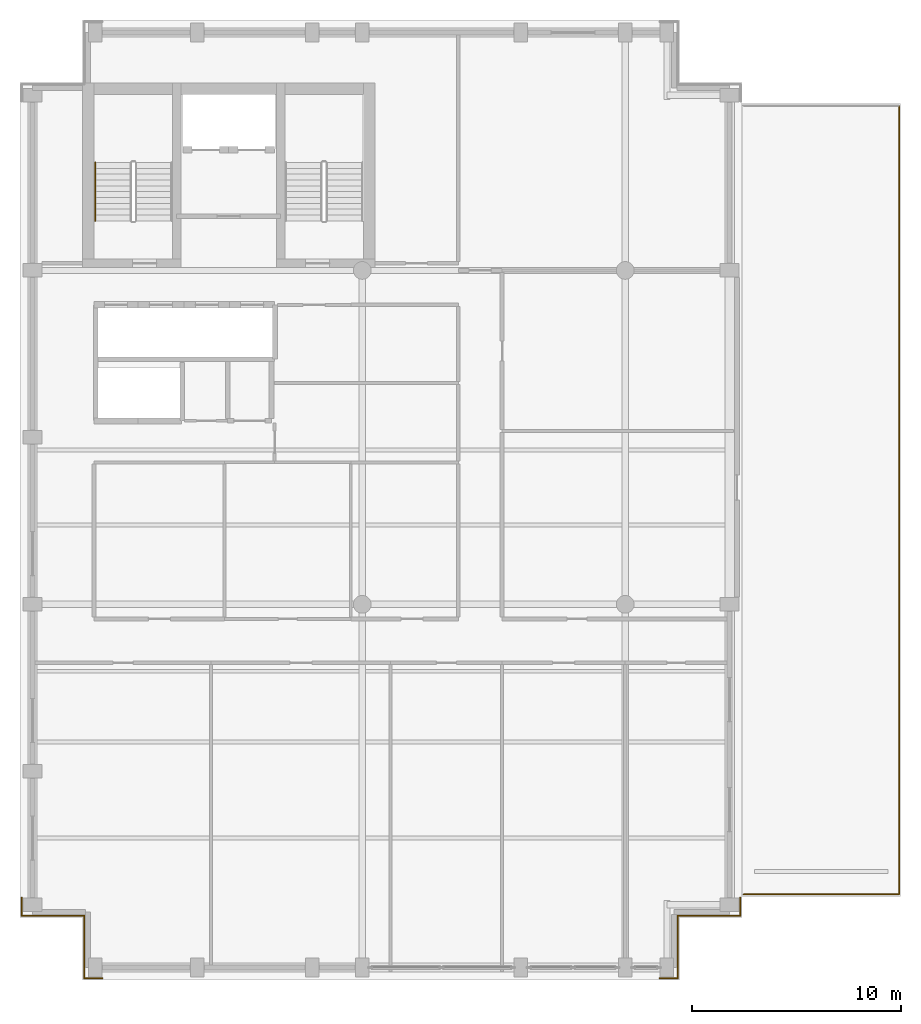
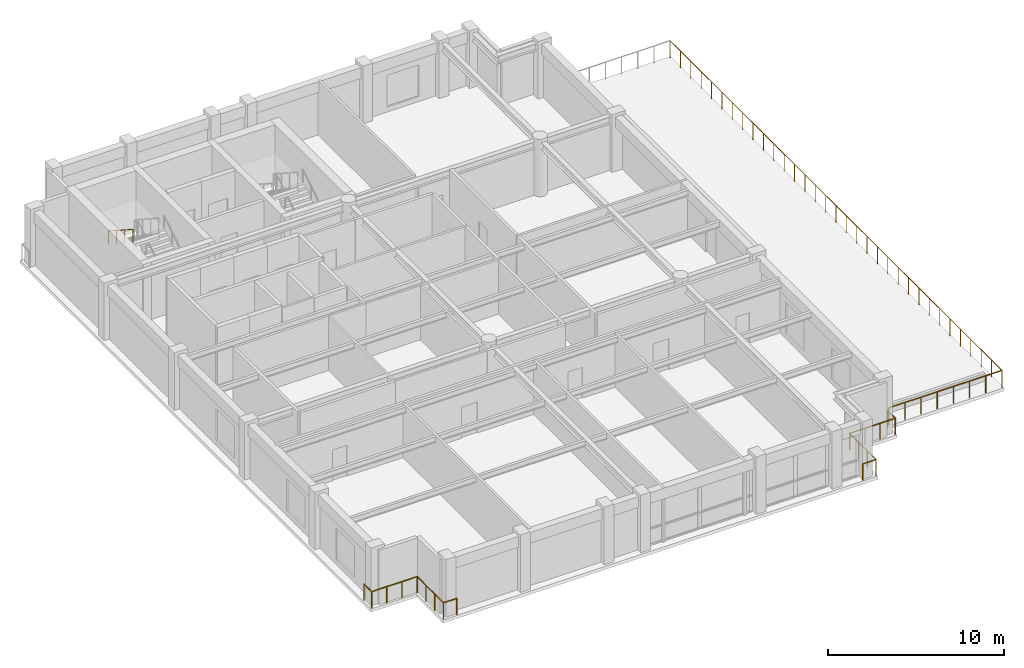
# One storey, part 7 of 9: 11 railings.
"""IFC4 building model written with IfcOpenShell, lengths in metres."""

from ifc_helpers import new_model, si_unit, direction, frame, origin, origin_2d, place, context, subcontext, project, spatial, circle, extrude, material, type_object, element, save


model = new_model("IFC4")

# Units and contexts
model_context = context("Model", 3, precision=1e-05, world=origin(), true_north=direction((0.0, 1.0)))
body_context = subcontext(model_context, "Body", "Model", "MODEL_VIEW")
ifc_project = project(units=[si_unit("LENGTHUNIT", "METRE"), si_unit("AREAUNIT", "SQUARE_METRE"), si_unit("VOLUMEUNIT", "CUBIC_METRE"), si_unit("PLANEANGLEUNIT", "RADIAN"), si_unit("MASSUNIT", "GRAM", prefix="KILO")], contexts=[model_context])

# Site, building, storey
site_placement = place(None, origin())
site = spatial("IfcSite", under=ifc_project, at=site_placement, CompositionType="ELEMENT")
building_placement = place(site_placement, origin())
building = spatial("IfcBuilding", under=site, at=building_placement, Name="Sulina Concourse Tower", CompositionType="ELEMENT")
storey_placement = place(building_placement, frame((0.0, 0.0, 305.0)))
storey = spatial("IfcBuildingStorey", under=building, at=storey_placement, Name="L74", CompositionType="ELEMENT", Elevation=305.0)

# Railings
ifc_material_1 = material(Name="Galvanised steel railing", Category="steel")
railing_type_1 = type_object("IfcRailingType", Name="Core Stair Steel Guardrail 1150mm", PredefinedType="GUARDRAIL", material=ifc_material_1)
railing_1_placement = place(storey_placement, frame((34.52001953125, 3.949951171875, 0.0)))
element("IfcRailing", 1, at=railing_1_placement, inside=storey, type_object=railing_type_1, Name="L74 perimeter edge safety guardrail SE1", PredefinedType="GUARDRAIL", context=body_context, shape_type="SweptSolid", body=[
    extrude(circle(Radius=0.02392578125, at=origin_2d()), frame((0.0, 0.0, 1.1259765625), z_axis=(0.0, -1.0, 0.0), x_axis=(1.0, 0.0, 0.0)), (0.0, 0.0, 1.0), 0.869873046875),
    extrude(circle(Radius=0.02099609375, at=origin_2d()), origin(), (0.0, 0.0, 1.0), 1.101806640625),
    extrude(circle(Radius=0.02099609375, at=origin_2d()), frame((0.0, -0.869873046875, 0.0)), (0.0, 0.0, 1.0), 1.101806640625),
])
railing_2_placement = place(storey_placement, frame((34.52001953125, 3.080078125, 0.0)))
element("IfcRailing", 2, at=railing_2_placement, inside=storey, type_object=railing_type_1, Name="L74 perimeter edge safety guardrail SE2", PredefinedType="GUARDRAIL", context=body_context, shape_type="SweptSolid", body=[
    extrude(circle(Radius=0.02392578125, at=origin_2d()), frame((0.0, 0.0, 1.1259765625), z_axis=(-1.0, 0.0, 0.0), x_axis=(0.0, -1.0, 0.0)), (0.0, 0.0, 1.0), 3.0),
    extrude(circle(Radius=0.02099609375, at=origin_2d()), origin(), (0.0, 0.0, 1.0), 1.101806640625),
    extrude(circle(Radius=0.02099609375, at=origin_2d()), frame((-1.0, 0.0, 0.0)), (0.0, 0.0, 1.0), 1.101806640625),
    extrude(circle(Radius=0.02099609375, at=origin_2d()), frame((-2.0, 0.0, 0.0)), (0.0, 0.0, 1.0), 1.101806640625),
    extrude(circle(Radius=0.02099609375, at=origin_2d()), frame((-3.0, 0.0, 0.0)), (0.0, 0.0, 1.0), 1.101806640625),
])
railing_3_placement = place(storey_placement, frame((31.52001953125, 3.080078125, 0.0)))
element("IfcRailing", 3, at=railing_3_placement, inside=storey, type_object=railing_type_1, Name="L74 perimeter edge safety guardrail SE3", PredefinedType="GUARDRAIL", context=body_context, shape_type="SweptSolid", body=[
    extrude(circle(Radius=0.02392578125, at=origin_2d()), frame((0.0, 0.0, 1.1259765625), z_axis=(0.0, -1.0, 0.0), x_axis=(1.0, 0.0, 0.0)), (0.0, 0.0, 1.0), 3.0),
    extrude(circle(Radius=0.02099609375, at=origin_2d()), origin(), (0.0, 0.0, 1.0), 1.101806640625),
    extrude(circle(Radius=0.02099609375, at=origin_2d()), frame((0.0, -1.0, 0.0)), (0.0, 0.0, 1.0), 1.101806640625),
    extrude(circle(Radius=0.02099609375, at=origin_2d()), frame((0.0, -2.0, 0.0)), (0.0, 0.0, 1.0), 1.101806640625),
    extrude(circle(Radius=0.02099609375, at=origin_2d()), frame((0.0, -3.0, 0.0)), (0.0, 0.0, 1.0), 1.101806640625),
])
railing_4_placement = place(storey_placement, frame((31.52001953125, 0.080078125, 0.0)))
element("IfcRailing", 4, at=railing_4_placement, inside=storey, type_object=railing_type_1, Name="L74 perimeter edge safety guardrail SE4", PredefinedType="GUARDRAIL", context=body_context, shape_type="SweptSolid", body=[
    extrude(circle(Radius=0.02392578125, at=origin_2d()), frame((0.0, 0.0, 1.1259765625), z_axis=(-1.0, 0.0, 0.0), x_axis=(0.0, -1.0, 0.0)), (0.0, 0.0, 1.0), 0.8701171875),
    extrude(circle(Radius=0.02099609375, at=origin_2d()), origin(), (0.0, 0.0, 1.0), 1.101806640625),
    extrude(circle(Radius=0.02099609375, at=origin_2d()), frame((-0.8701171875, 0.0, 0.0)), (0.0, 0.0, 1.0), 1.101806640625),
])
railing_5_placement = place(storey_placement, frame((3.949951171875, 0.080078125, 0.0)))
element("IfcRailing", 5, at=railing_5_placement, inside=storey, type_object=railing_type_1, Name="L74 perimeter edge safety guardrail SW1", PredefinedType="GUARDRAIL", context=body_context, shape_type="SweptSolid", body=[
    extrude(circle(Radius=0.02392578125, at=origin_2d()), frame((0.0, 0.0, 1.1259765625), z_axis=(-1.0, 0.0, 0.0), x_axis=(0.0, -1.0, 0.0)), (0.0, 0.0, 1.0), 0.869873046875),
    extrude(circle(Radius=0.02099609375, at=origin_2d()), origin(), (0.0, 0.0, 1.0), 1.101806640625),
    extrude(circle(Radius=0.02099609375, at=origin_2d()), frame((-0.869873046875, 0.0, 0.0)), (0.0, 0.0, 1.0), 1.101806640625),
])
railing_6_placement = place(storey_placement, frame((3.080078125, 0.080078125, 0.0)))
element("IfcRailing", 6, at=railing_6_placement, inside=storey, type_object=railing_type_1, Name="L74 perimeter edge safety guardrail SW2", PredefinedType="GUARDRAIL", context=body_context, shape_type="SweptSolid", body=[
    extrude(circle(Radius=0.02392578125, at=origin_2d()), frame((0.0, 0.0, 1.1259765625), z_axis=(0.0, 1.0, 0.0), x_axis=(-1.0, 0.0, 0.0)), (0.0, 0.0, 1.0), 3.0),
    extrude(circle(Radius=0.02099609375, at=origin_2d()), origin(), (0.0, 0.0, 1.0), 1.101806640625),
    extrude(circle(Radius=0.02099609375, at=origin_2d()), frame((0.0, 1.0, 0.0)), (0.0, 0.0, 1.0), 1.101806640625),
    extrude(circle(Radius=0.02099609375, at=origin_2d()), frame((0.0, 2.0, 0.0)), (0.0, 0.0, 1.0), 1.101806640625),
    extrude(circle(Radius=0.02099609375, at=origin_2d()), frame((0.0, 3.0, 0.0)), (0.0, 0.0, 1.0), 1.101806640625),
])
railing_7_placement = place(storey_placement, frame((3.080078125, 3.080078125, 0.0)))
element("IfcRailing", 7, at=railing_7_placement, inside=storey, type_object=railing_type_1, Name="L74 perimeter edge safety guardrail SW3", PredefinedType="GUARDRAIL", context=body_context, shape_type="SweptSolid", body=[
    extrude(circle(Radius=0.02392578125, at=origin_2d()), frame((0.0, 0.0, 1.1259765625), z_axis=(-1.0, 0.0, 0.0), x_axis=(0.0, -1.0, 0.0)), (0.0, 0.0, 1.0), 3.0),
    extrude(circle(Radius=0.02099609375, at=origin_2d()), origin(), (0.0, 0.0, 1.0), 1.101806640625),
    extrude(circle(Radius=0.02099609375, at=origin_2d()), frame((-1.0, 0.0, 0.0)), (0.0, 0.0, 1.0), 1.101806640625),
    extrude(circle(Radius=0.02099609375, at=origin_2d()), frame((-2.0, 0.0, 0.0)), (0.0, 0.0, 1.0), 1.101806640625),
    extrude(circle(Radius=0.02099609375, at=origin_2d()), frame((-3.0, 0.0, 0.0)), (0.0, 0.0, 1.0), 1.101806640625),
])
railing_8_placement = place(storey_placement, frame((0.080078125, 3.080078125, 0.0)))
element("IfcRailing", 8, at=railing_8_placement, inside=storey, type_object=railing_type_1, Name="L74 perimeter edge safety guardrail SW4", PredefinedType="GUARDRAIL", context=body_context, shape_type="SweptSolid", body=[
    extrude(circle(Radius=0.02392578125, at=origin_2d()), frame((0.0, 0.0, 1.1259765625), z_axis=(0.0, 1.0, 0.0), x_axis=(-1.0, 0.0, 0.0)), (0.0, 0.0, 1.0), 0.869873046875),
    extrude(circle(Radius=0.02099609375, at=origin_2d()), origin(), (0.0, 0.0, 1.0), 1.101806640625),
    extrude(circle(Radius=0.02099609375, at=origin_2d()), frame((0.0, 0.869873046875, 0.0)), (0.0, 0.0, 1.0), 1.101806640625),
])
ifc_material_2 = material(Name="Galvanised steel railing", Category="steel")
railing_type_2 = type_object("IfcRailingType", Name="Stair Wall Steel Handrail 920mm", PredefinedType="HANDRAIL", material=ifc_material_2)
railing_9_placement = place(storey_placement, frame((3.60498046875, 39.175048828125, 2.181884765625)))
element("IfcRailing", 9, at=railing_9_placement, inside=storey, type_object=railing_type_2, Name="L74 ST-1 stair handrail 2", PredefinedType="HANDRAIL", context=body_context, shape_type="SweptSolid", body=[
    extrude(circle(Radius=0.02392578125, at=origin_2d()), frame((0.0, 0.0, 0.89599609375), z_axis=(0.0, -0.838705829183, 0.544584733623), x_axis=(1.0, 0.0, 0.0)), (0.0, 0.0, 1.0), 3.338623046875),
    extrude(circle(Radius=0.02099609375, at=origin_2d()), origin(), (0.0, 0.0, 1.0), 0.871826171875),
    extrude(circle(Radius=0.02099609375, at=origin_2d()), frame((0.0, -0.933349609375, 0.60595703125)), (0.0, 0.0, 1.0), 0.871826171875),
    extrude(circle(Radius=0.02099609375, at=origin_2d()), frame((0.0, -1.86669921875, 1.212158203125)), (0.0, 0.0, 1.0), 0.871826171875),
    extrude(circle(Radius=0.02099609375, at=origin_2d()), frame((0.0, -2.800048828125, 1.818115234375)), (0.0, 0.0, 1.0), 0.871826171875),
])
ifc_material_3 = material(Name="Laminated glass balustrade and steel post", Category="steel")
railing_type_3 = type_object("IfcRailingType", Name="Terrace & Sky-Pool Laminated Guardrail 1200mm", PredefinedType="GUARDRAIL", material=ifc_material_3)
railing_10_placement = place(storey_placement, frame((34.679931640625, 4.10009765625, 0.0)))
element("IfcRailing", 10, at=railing_10_placement, inside=storey, type_object=railing_type_3, Name="L74 terrace guardrail TER-CR3-1", PredefinedType="GUARDRAIL", context=body_context, shape_type="SweptSolid", body=[
    extrude(circle(Radius=0.02490234375, at=origin_2d()), frame((0.0, 0.0, 1.1748046875), z_axis=(1.0, 0.0, 0.0), x_axis=(0.0, 1.0, 0.0)), (0.0, 0.0, 1.0), 7.440185546875),
    extrude(circle(Radius=0.02099609375, at=origin_2d()), origin(), (0.0, 0.0, 1.0), 1.14990234375),
    extrude(circle(Radius=0.02099609375, at=origin_2d()), frame((1.06298828125, 0.0, 0.0)), (0.0, 0.0, 1.0), 1.14990234375),
    extrude(circle(Radius=0.02099609375, at=origin_2d()), frame((2.125732421875, 0.0, 0.0)), (0.0, 0.0, 1.0), 1.14990234375),
    extrude(circle(Radius=0.02099609375, at=origin_2d()), frame((3.188720703125, 0.0, 0.0)), (0.0, 0.0, 1.0), 1.14990234375),
    extrude(circle(Radius=0.02099609375, at=origin_2d()), frame((4.25146484375, 0.0, 0.0)), (0.0, 0.0, 1.0), 1.14990234375),
    extrude(circle(Radius=0.02099609375, at=origin_2d()), frame((5.314453125, 0.0, 0.0)), (0.0, 0.0, 1.0), 1.14990234375),
    extrude(circle(Radius=0.02099609375, at=origin_2d()), frame((6.377197265625, 0.0, 0.0)), (0.0, 0.0, 1.0), 1.14990234375),
    extrude(circle(Radius=0.02099609375, at=origin_2d()), frame((7.440185546875, 0.0, 0.0)), (0.0, 0.0, 1.0), 1.14990234375),
])
railing_11_placement = place(storey_placement, frame((42.1201171875, 4.10009765625, 0.0)))
element("IfcRailing", 11, at=railing_11_placement, inside=storey, type_object=railing_type_3, Name="L74 terrace guardrail TER-CR3-2", PredefinedType="GUARDRAIL", context=body_context, shape_type="SweptSolid", body=[
    extrude(circle(Radius=0.02490234375, at=origin_2d()), frame((0.0, 0.0, 1.1748046875), z_axis=(0.0, 1.0, 0.0), x_axis=(-1.0, 0.0, 0.0)), (0.0, 0.0, 1.0), 37.7998046875),
    extrude(circle(Radius=0.02099609375, at=origin_2d()), origin(), (0.0, 0.0, 1.0), 1.14990234375),
    extrude(circle(Radius=0.02099609375, at=origin_2d()), frame((0.0, 1.18115234375, 0.0)), (0.0, 0.0, 1.0), 1.14990234375),
    extrude(circle(Radius=0.02099609375, at=origin_2d()), frame((0.0, 2.362548828125, 0.0)), (0.0, 0.0, 1.0), 1.14990234375),
    extrude(circle(Radius=0.02099609375, at=origin_2d()), frame((0.0, 3.543701171875, 0.0)), (0.0, 0.0, 1.0), 1.14990234375),
    extrude(circle(Radius=0.02099609375, at=origin_2d()), frame((0.0, 4.72509765625, 0.0)), (0.0, 0.0, 1.0), 1.14990234375),
    extrude(circle(Radius=0.02099609375, at=origin_2d()), frame((0.0, 5.90625, 0.0)), (0.0, 0.0, 1.0), 1.14990234375),
    extrude(circle(Radius=0.02099609375, at=origin_2d()), frame((0.0, 7.08740234375, 0.0)), (0.0, 0.0, 1.0), 1.14990234375),
    extrude(circle(Radius=0.02099609375, at=origin_2d()), frame((0.0, 8.268798828125, 0.0)), (0.0, 0.0, 1.0), 1.14990234375),
    extrude(circle(Radius=0.02099609375, at=origin_2d()), frame((0.0, 9.449951171875, 0.0)), (0.0, 0.0, 1.0), 1.14990234375),
    extrude(circle(Radius=0.02099609375, at=origin_2d()), frame((0.0, 10.631103515625, 0.0)), (0.0, 0.0, 1.0), 1.14990234375),
    extrude(circle(Radius=0.02099609375, at=origin_2d()), frame((0.0, 11.8125, 0.0)), (0.0, 0.0, 1.0), 1.14990234375),
    extrude(circle(Radius=0.02099609375, at=origin_2d()), frame((0.0, 12.99365234375, 0.0)), (0.0, 0.0, 1.0), 1.14990234375),
    extrude(circle(Radius=0.02099609375, at=origin_2d()), frame((0.0, 14.1748046875, 0.0)), (0.0, 0.0, 1.0), 1.14990234375),
    extrude(circle(Radius=0.02099609375, at=origin_2d()), frame((0.0, 15.356201171875, 0.0)), (0.0, 0.0, 1.0), 1.14990234375),
    extrude(circle(Radius=0.02099609375, at=origin_2d()), frame((0.0, 16.537353515625, 0.0)), (0.0, 0.0, 1.0), 1.14990234375),
    extrude(circle(Radius=0.02099609375, at=origin_2d()), frame((0.0, 17.71875, 0.0)), (0.0, 0.0, 1.0), 1.14990234375),
    extrude(circle(Radius=0.02099609375, at=origin_2d()), frame((0.0, 18.89990234375, 0.0)), (0.0, 0.0, 1.0), 1.14990234375),
    extrude(circle(Radius=0.02099609375, at=origin_2d()), frame((0.0, 20.0810546875, 0.0)), (0.0, 0.0, 1.0), 1.14990234375),
    extrude(circle(Radius=0.02099609375, at=origin_2d()), frame((0.0, 21.262451171875, 0.0)), (0.0, 0.0, 1.0), 1.14990234375),
    extrude(circle(Radius=0.02099609375, at=origin_2d()), frame((0.0, 22.443603515625, 0.0)), (0.0, 0.0, 1.0), 1.14990234375),
    extrude(circle(Radius=0.02099609375, at=origin_2d()), frame((0.0, 23.625, 0.0)), (0.0, 0.0, 1.0), 1.14990234375),
    extrude(circle(Radius=0.02099609375, at=origin_2d()), frame((0.0, 24.80615234375, 0.0)), (0.0, 0.0, 1.0), 1.14990234375),
    extrude(circle(Radius=0.02099609375, at=origin_2d()), frame((0.0, 25.9873046875, 0.0)), (0.0, 0.0, 1.0), 1.14990234375),
    extrude(circle(Radius=0.02099609375, at=origin_2d()), frame((0.0, 27.168701171875, 0.0)), (0.0, 0.0, 1.0), 1.14990234375),
    extrude(circle(Radius=0.02099609375, at=origin_2d()), frame((0.0, 28.349853515625, 0.0)), (0.0, 0.0, 1.0), 1.14990234375),
    extrude(circle(Radius=0.02099609375, at=origin_2d()), frame((0.0, 29.531005859375, 0.0)), (0.0, 0.0, 1.0), 1.14990234375),
    extrude(circle(Radius=0.02099609375, at=origin_2d()), frame((0.0, 30.71240234375, 0.0)), (0.0, 0.0, 1.0), 1.14990234375),
    extrude(circle(Radius=0.02099609375, at=origin_2d()), frame((0.0, 31.8935546875, 0.0)), (0.0, 0.0, 1.0), 1.14990234375),
    extrude(circle(Radius=0.02099609375, at=origin_2d()), frame((0.0, 33.07470703125, 0.0)), (0.0, 0.0, 1.0), 1.14990234375),
    extrude(circle(Radius=0.02099609375, at=origin_2d()), frame((0.0, 34.256103515625, 0.0)), (0.0, 0.0, 1.0), 1.14990234375),
    extrude(circle(Radius=0.02099609375, at=origin_2d()), frame((0.0, 35.437255859375, 0.0)), (0.0, 0.0, 1.0), 1.14990234375),
    extrude(circle(Radius=0.02099609375, at=origin_2d()), frame((0.0, 36.61865234375, 0.0)), (0.0, 0.0, 1.0), 1.14990234375),
    extrude(circle(Radius=0.02099609375, at=origin_2d()), frame((0.0, 37.7998046875, 0.0)), (0.0, 0.0, 1.0), 1.14990234375),
])

save(model, "model.ifc")
